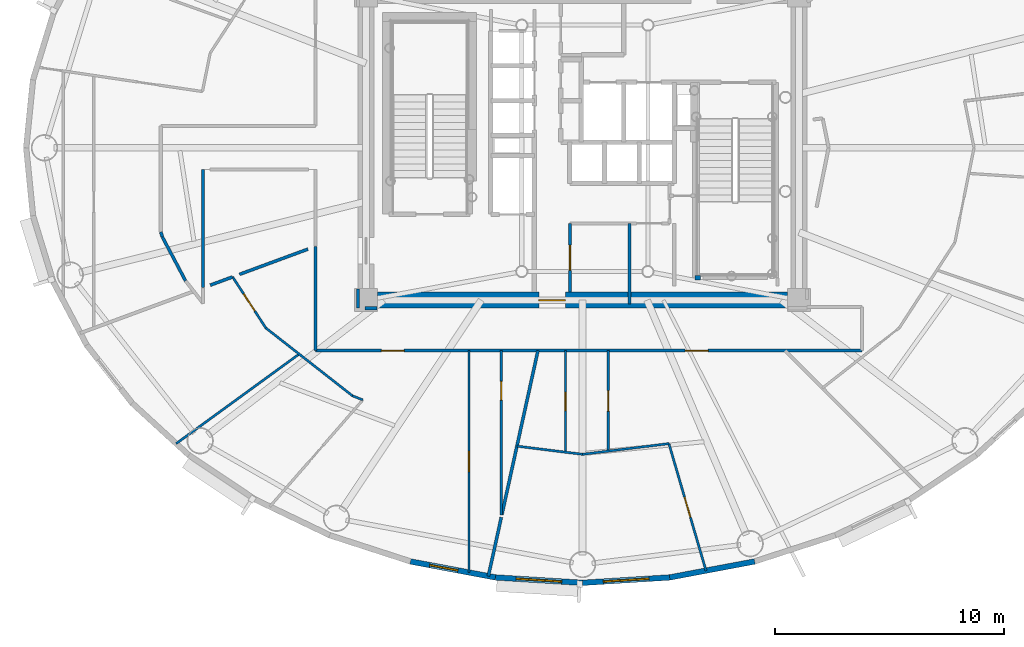
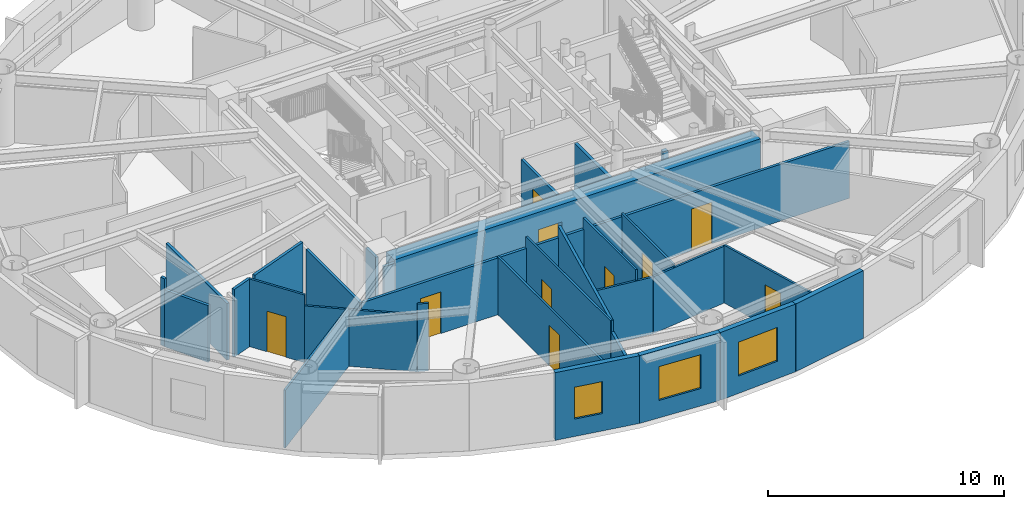
# One storey, part 7 of 20: 30 walls, 10 doors, 3 windows, 13 openings.
"""IFC4 building model written with IfcOpenShell, lengths in metres."""

import ifcopenshell
import ifcopenshell.guid

model = None  # the IFC model being written
_history = None  # IfcOwnerHistory: only IFC2X3 demands one
_inside = {}  # id of a spatial element -> (the spatial element, [elements in it])
_under = {}  # id of a project, library or spatial element -> (it, [spatial elements below it])
_declared = {}  # id of a project -> (the project, [libraries it declares])
_typed = {}  # id of a type object -> (the type object, [elements of that type])
_made_of = {}  # id of a material, layer set ... -> (it, [elements and type objects made of it])


def new_model(schema):
    """Start an empty IFC model of exactly this schema.

    Asked for "IFC4X3", IfcOpenShell would pick the latest addendum, in which some entities
    have other attributes; the version numbers below select the first issue.
    IFC2X3 requires an IfcOwnerHistory on every rooted entity: one is made here for all.
    """
    global model, _history
    if schema == "IFC4X3":
        model = ifcopenshell.file(schema_version=(4, 3, 0, 0))
    else:
        model = ifcopenshell.file(schema=schema)
    _inside.clear()
    _under.clear()
    _declared.clear()
    _typed.clear()
    _made_of.clear()
    _history = None
    if model.schema == "IFC2X3":
        org = make("IfcOrganization", Name="unknown")
        user = make(
            "IfcPersonAndOrganization",
            ThePerson=make("IfcPerson", FamilyName="unknown"),
            TheOrganization=org,
        )
        app = make(
            "IfcApplication",
            ApplicationDeveloper=org,
            Version="unknown",
            ApplicationFullName="unknown",
            ApplicationIdentifier="unknown",
        )
        _history = make(
            "IfcOwnerHistory",
            OwningUser=user,
            OwningApplication=app,
            ChangeAction="ADDED",
            CreationDate=0,
        )
    return model


def make(cls, **values):
    """One entity of the class cls with the attributes given. An attribute that is None is left unset."""
    return model.create_entity(
        cls, **{name: value for name, value in values.items() if value is not None}
    )


def rooted(cls, **values):
    """An entity with a GlobalId (a new one), such as an element, a storey or a relation."""
    return make(cls, GlobalId=ifcopenshell.guid.new(), OwnerHistory=_history, **values)


def si_unit(unit_type, name, prefix=None):
    """IfcSIUnit, for example si_unit("LENGTHUNIT", "METRE", prefix="MILLI")."""
    return make("IfcSIUnit", UnitType=unit_type, Prefix=prefix, Name=name)


def assignment(units):
    """IfcUnitAssignment: the units of a project."""
    return None if units is None else make("IfcUnitAssignment", Units=units)


def point(xyz):
    """IfcCartesianPoint."""
    return None if xyz is None else make("IfcCartesianPoint", Coordinates=xyz)


def direction(xyz):
    """IfcDirection."""
    return None if xyz is None else make("IfcDirection", DirectionRatios=xyz)


def frame(location, z_axis=None, x_axis=None):
    """IfcAxis2Placement3D, a coordinate frame: its origin and axes. An axis left out is left unset."""
    return make(
        "IfcAxis2Placement3D",
        Location=point(location),
        Axis=direction(z_axis),
        RefDirection=direction(x_axis),
    )


def frame_2d(location, x_axis=None):
    """IfcAxis2Placement2D, a coordinate frame in the plane: its origin and x axis."""
    return make(
        "IfcAxis2Placement2D", Location=point(location), RefDirection=direction(x_axis)
    )


def origin():
    """The frame at (0, 0, 0) with its axes left unset."""
    return frame((0.0, 0.0, 0.0))


def origin_2d():
    """The frame at (0, 0) in the plane with its x axis left unset."""
    return frame_2d((0.0, 0.0))


def place(relative_to, where):
    """IfcLocalPlacement: puts the frame where relative to a parent placement (None: the world)."""
    return make(
        "IfcLocalPlacement", PlacementRelTo=relative_to, RelativePlacement=where
    )


def context(
    kind, dimensions, precision=None, world=None, true_north=None, identifier=None
):
    """IfcGeometricRepresentationContext, for example the 3D "Model" context."""
    return make(
        "IfcGeometricRepresentationContext",
        ContextIdentifier=identifier,
        ContextType=kind,
        CoordinateSpaceDimension=dimensions,
        Precision=precision,
        WorldCoordinateSystem=world,
        TrueNorth=true_north,
    )


def subcontext(parent, identifier, kind, view, scale=None):
    """IfcGeometricRepresentationSubContext, for example "Body" below "Model"."""
    return make(
        "IfcGeometricRepresentationSubContext",
        ContextIdentifier=identifier,
        ContextType=kind,
        ParentContext=parent,
        TargetScale=scale,
        TargetView=view,
    )


def project(units=None, contexts=None):
    """IfcProject with its units and contexts."""
    return rooted(
        "IfcProject",
        Name="project",
        RepresentationContexts=contexts,
        UnitsInContext=assignment(units),
    )


def spatial(cls, under=None, at=None, **own):
    """A site, building, storey or space (cls), placed at a placement, below another one or the project."""
    s = rooted(cls, ObjectPlacement=at, **own)
    if under is not None:
        _under.setdefault(under.id(), (under, []))[1].append(s)
    return s


def profile(cls, at=None, kind="AREA", **sizes):
    """A parametric profile (cls). Its sizes go by their IFC names, for example OverallWidth=200.0."""
    return make(cls, ProfileType=kind, Position=at, **sizes)


def rectangle(**sizes):
    """IfcRectangleProfileDef."""
    return profile("IfcRectangleProfileDef", **sizes)


def extrude(swept, where, along, depth):
    """IfcExtrudedAreaSolid: the profile swept, set in the frame where, extruded along a direction by depth."""
    return make(
        "IfcExtrudedAreaSolid",
        SweptArea=swept,
        Position=where,
        ExtrudedDirection=direction(along),
        Depth=depth,
    )


def shape(context_of_items, identifier, shape_type, items):
    """IfcShapeRepresentation: the items that make up one representation, for example the "Body"."""
    return make(
        "IfcShapeRepresentation",
        ContextOfItems=context_of_items,
        RepresentationIdentifier=identifier,
        RepresentationType=shape_type,
        Items=items,
    )


def source(mapping_origin, context_of_items, identifier, shape_type, items):
    """IfcRepresentationMap: a shape defined once, which mapped items show again and again."""
    return make(
        "IfcRepresentationMap",
        MappingOrigin=mapping_origin,
        MappedRepresentation=shape(context_of_items, identifier, shape_type, items),
    )


def transform(
    local_origin,
    x_axis=None,
    y_axis=None,
    z_axis=None,
    scale=None,
    scale2=None,
    scale3=None,
    uniform=True,
):
    """IfcCartesianTransformationOperator3D, or its non-uniform kind. x_axis, y_axis, z_axis: its Axis1, 2, 3."""
    if uniform:
        return make(
            "IfcCartesianTransformationOperator3D",
            Axis1=direction(x_axis),
            Axis2=direction(y_axis),
            LocalOrigin=point(local_origin),
            Scale=scale,
            Axis3=direction(z_axis),
        )
    return make(
        "IfcCartesianTransformationOperator3DnonUniform",
        Axis1=direction(x_axis),
        Axis2=direction(y_axis),
        LocalOrigin=point(local_origin),
        Scale=scale,
        Axis3=direction(z_axis),
        Scale2=scale2,
        Scale3=scale3,
    )


def mapped(mapping_source, mapping_target):
    """IfcMappedItem: shows the shape of a source again, moved by a transform."""
    return make(
        "IfcMappedItem", MappingSource=mapping_source, MappingTarget=mapping_target
    )


def material(Name=None, Category=None):
    """IfcMaterial."""
    return make("IfcMaterial", Name=Name, Category=Category)


def layer(
    of_material, thickness, ventilated=None, Name=None, Category=None, Priority=None
):
    """IfcMaterialLayer: one layer of a wall or slab, of a material (None: an air gap)."""
    return make(
        "IfcMaterialLayer",
        Material=of_material,
        LayerThickness=thickness,
        IsVentilated=ventilated,
        Name=Name,
        Category=Category,
        Priority=Priority,
    )


def layer_set(layers, Name=None):
    """IfcMaterialLayerSet."""
    return make("IfcMaterialLayerSet", MaterialLayers=layers, LayerSetName=Name)


def made_of(thing, what):
    """Note that an element or type object is made of a material, layer set ...; save() writes the relation."""
    if what is not None:
        _made_of.setdefault(what.id(), (what, []))[1].append(thing)
    return thing


def type_object(cls, material=None, **own):
    """A type object (cls), such as IfcWallType, which elements share."""
    return made_of(rooted(cls, **own), material)


def element(
    cls,
    number,
    at=None,
    inside=None,
    cuts=None,
    type_object=None,
    material=None,
    context=None,
    identifier="Body",
    shape_type=None,
    held_by="IfcProductDefinitionShape",
    body=None,
    shapes=None,
    **own,
):
    """One element of the class cls, such as IfcWall. Its Tag is "e" and its number.

    at: its placement. inside: the storey or other place that contains it. cuts: it is an
    opening in that element (IfcRelVoidsElement). A single representation is given by context,
    identifier, shape_type and body (its items); several are given by shapes. held_by: the class
    of the entity that holds the representations. save() writes the other relations.
    """
    e = rooted(cls, Tag="e%d" % number, ObjectPlacement=at, **own)
    if body is not None:
        shapes = [shape(context, identifier, shape_type, body)]
    if shapes is not None:
        e.Representation = make(held_by, Representations=shapes)
    if inside is not None:
        _inside.setdefault(inside.id(), (inside, []))[1].append(e)
    if cuts is not None:
        rooted(
            "IfcRelVoidsElement", RelatingBuildingElement=cuts, RelatedOpeningElement=e
        )
    if type_object is not None:
        _typed.setdefault(type_object.id(), (type_object, []))[1].append(e)
    return made_of(e, material)


def fill(opening, filler):
    """IfcRelFillsElement: the door or window that sits in an opening."""
    return rooted(
        "IfcRelFillsElement",
        RelatingOpeningElement=opening,
        RelatedBuildingElement=filler,
    )


def aggregate(whole, parts):
    """IfcRelAggregates: a whole, such as a stair, and the parts it consists of."""
    return rooted("IfcRelAggregates", RelatingObject=whole, RelatedObjects=parts)


def save(model, path):
    """Write the relations noted so far, then the file.

    IfcRelAggregates (storeys below a building ...), IfcRelContainedInSpatialStructure (elements
    in a storey), IfcRelDefinesByType, IfcRelAssociatesMaterial and IfcRelDeclares: one each for
    every whole, place, type object, material and project.
    """
    for whole, parts in _under.values():
        aggregate(whole, parts)
    for where, things in _inside.values():
        rooted(
            "IfcRelContainedInSpatialStructure",
            RelatedElements=things,
            RelatingStructure=where,
        )
    for kind, things in _typed.values():
        rooted("IfcRelDefinesByType", RelatedObjects=things, RelatingType=kind)
    for what, things in _made_of.values():
        rooted("IfcRelAssociatesMaterial", RelatedObjects=things, RelatingMaterial=what)
    for by, libraries in _declared.values():
        rooted("IfcRelDeclares", RelatingContext=by, RelatedDefinitions=libraries)
    model.write(path)


model = new_model("IFC4")

# Units and contexts
model_context = context("Model", 3, precision=1e-05, world=origin(), true_north=direction((0.0, 1.0)))
body_context = subcontext(model_context, "Body", "Model", "MODEL_VIEW")
ifc_project = project(units=[si_unit("LENGTHUNIT", "METRE"), si_unit("AREAUNIT", "SQUARE_METRE"), si_unit("VOLUMEUNIT", "CUBIC_METRE"), si_unit("PLANEANGLEUNIT", "RADIAN"), si_unit("MASSUNIT", "GRAM", prefix="KILO")], contexts=[model_context])

# Site, building, storey
site_placement = place(None, origin())
site = spatial("IfcSite", under=ifc_project, at=site_placement, CompositionType="ELEMENT")
building_placement = place(site_placement, origin())
building = spatial("IfcBuilding", under=site, at=building_placement, Name="Linh Dai School and Residence Tower", CompositionType="ELEMENT")
storey_placement = place(building_placement, frame((0.0, 0.0, 221.550048828125)))
storey = spatial("IfcBuildingStorey", under=building, at=storey_placement, Name="L54", CompositionType="ELEMENT", Elevation=221.550048828125)

# Wall, opening, window
ifc_material_1 = material(Name="Precast Concrete B45 (C35/45)", Category="concrete")
ifc_layer_1 = layer(ifc_material_1, 0.239990234375)
ifc_layer_set_1 = layer_set([ifc_layer_1], Name="Precast Concrete B45 (C35/45)")
wall_type_1 = type_object("IfcWallType", Name="EW-TC-240", PredefinedType="SOLIDWALL", material=ifc_layer_set_1)
wall_1_placement = place(storey_placement, frame((32.198486328125, 8.254150390625, 0.0), z_axis=(0.0, 0.0, 1.0), x_axis=(-0.982784898575, 0.184753465822, 0.0)))
wall_1 = element("IfcWall", 1, at=wall_1_placement, inside=storey, type_object=wall_type_1, Name="L54 Terracotta Exterior Wall 29", PredefinedType="SOLIDWALL", context=body_context, shape_type="SweptSolid", body=[
    extrude(rectangle(XDim=3.772705078125, YDim=0.239990234375, at=frame_2d((1.88623046875, 0.0))), origin(), (0.0, 0.0, 1.0), 3.5),
])
opening_1_placement = place(wall_1_placement, frame((1.663818359375, 0.0, 0.89990234375)))
opening_1 = element("IfcOpeningElement", 2, at=opening_1_placement, cuts=wall_1, Name="Opening W3", PredefinedType="OPENING", context=body_context, shape_type="SweptSolid", body=[
    extrude(rectangle(XDim=1.25, YDim=1.64990234375, at=origin_2d()), frame((0.625, 0.1298828125, 0.824951171875), z_axis=(0.0, -1.0, 0.0), x_axis=(1.0, 0.0, 0.0)), (0.0, 0.0, 1.0), 0.260009765625),
])
ifc_material_2 = material(Name="Double Low-E Insulated Glazing", Category="glass")
window_type_1 = type_object("IfcWindowType", Name="WN-RES-1250x1650", PartitioningType="SINGLE_PANEL", PredefinedType="WINDOW", material=ifc_material_2)
shared_shape_1 = source(origin(), body_context, "Body", "SweptSolid", [
    extrude(rectangle(XDim=1.25, YDim=1.64990234375, at=origin_2d()), frame((0.625, 0.030029296875, 0.824951171875), z_axis=(0.0, -1.0, 0.0), x_axis=(1.0, 0.0, 0.0)), (0.0, 0.0, 1.0), 0.06005859375),
])
window_1_placement = place(opening_1_placement, origin())
window_1 = element("IfcWindow", 3, at=window_1_placement, inside=storey, type_object=window_type_1, Name="L54 Exterior Window 29.1", OverallHeight=1.64990234375, OverallWidth=1.25, PartitioningType="SINGLE_PANEL", PredefinedType="WINDOW", context=body_context, shape_type="MappedRepresentation", body=[
    mapped(shared_shape_1, transform((0.0, 0.0, 0.0), x_axis=(1.0, 0.0, 0.0), y_axis=(0.0, 1.0, 0.0), z_axis=(0.0, 0.0, 1.0), scale=1.0)),
])
fill(opening_1, window_1)

wall_2_placement = place(storey_placement, frame((36.0, 8.02001953125, 0.0), z_axis=(0.0, 0.0, 1.0), x_axis=(-0.998108785312, 0.06147237333, 0.0)))
wall_2 = element("IfcWall", 4, at=wall_2_placement, inside=storey, type_object=wall_type_1, Name="L54 Terracotta Exterior Wall 30", PredefinedType="SOLIDWALL", context=body_context, shape_type="SweptSolid", body=[
    extrude(rectangle(XDim=3.808837890625, YDim=0.239990234375, at=frame_2d((1.904296875, 0.0))), origin(), (0.0, 0.0, 1.0), 3.5),
])
opening_2_placement = place(wall_2_placement, frame((0.904296875, 0.0, 0.89990234375)))
opening_2 = element("IfcOpeningElement", 5, at=opening_2_placement, cuts=wall_2, Name="Opening W1", PredefinedType="OPENING", context=body_context, shape_type="SweptSolid", body=[
    extrude(rectangle(XDim=2.0, YDim=1.75, at=origin_2d()), frame((1.0, 0.1298828125, 0.875), z_axis=(0.0, -1.0, 0.0), x_axis=(1.0, 0.0, 0.0)), (0.0, 0.0, 1.0), 0.260009765625),
])
window_type_2 = type_object("IfcWindowType", Name="WN-RES-2000x1750", PartitioningType="DOUBLE_PANEL_VERTICAL", PredefinedType="WINDOW", material=ifc_material_2)
shared_shape_2 = source(origin(), body_context, "Body", "SweptSolid", [
    extrude(rectangle(XDim=2.0, YDim=1.75, at=origin_2d()), frame((1.0, 0.030029296875, 0.875), z_axis=(0.0, -1.0, 0.0), x_axis=(1.0, 0.0, 0.0)), (0.0, 0.0, 1.0), 0.06005859375),
])
window_2_placement = place(opening_2_placement, origin())
window_2 = element("IfcWindow", 6, at=window_2_placement, inside=storey, type_object=window_type_2, Name="L54 Exterior Window 30.1", OverallHeight=1.75, OverallWidth=2.0, PartitioningType="DOUBLE_PANEL_VERTICAL", PredefinedType="WINDOW", context=body_context, shape_type="MappedRepresentation", body=[
    mapped(shared_shape_2, transform((0.0, 0.0, 0.0), x_axis=(1.0, 0.0, 0.0), y_axis=(0.0, 1.0, 0.0), z_axis=(0.0, 0.0, 1.0), scale=1.0)),
])
fill(opening_2, window_2)

wall_3_placement = place(storey_placement, frame((39.801513671875, 8.254150390625, 0.0), z_axis=(0.0, 0.0, 1.0), x_axis=(-0.998108785312, -0.06147237333, 0.0)))
wall_3 = element("IfcWall", 7, at=wall_3_placement, inside=storey, type_object=wall_type_1, Name="L54 Terracotta Exterior Wall 31", PredefinedType="SOLIDWALL", context=body_context, shape_type="SweptSolid", body=[
    extrude(rectangle(XDim=3.808837890625, YDim=0.239990234375, at=frame_2d((1.904296875, 0.0))), origin(), (0.0, 0.0, 1.0), 3.5),
])
opening_3_placement = place(wall_3_placement, frame((0.904541015625, 0.0, 0.89990234375)))
opening_3 = element("IfcOpeningElement", 8, at=opening_3_placement, cuts=wall_3, Name="Opening W1", PredefinedType="OPENING", context=body_context, shape_type="SweptSolid", body=[
    extrude(rectangle(XDim=2.0, YDim=1.75, at=origin_2d()), frame((1.0, 0.1298828125, 0.875), z_axis=(0.0, -1.0, 0.0), x_axis=(1.0, 0.0, 0.0)), (0.0, 0.0, 1.0), 0.260009765625),
])
window_3_placement = place(opening_3_placement, origin())
window_3 = element("IfcWindow", 9, at=window_3_placement, inside=storey, type_object=window_type_2, Name="L54 Exterior Window 31.1", OverallHeight=1.75, OverallWidth=2.0, PartitioningType="DOUBLE_PANEL_VERTICAL", PredefinedType="WINDOW", context=body_context, shape_type="MappedRepresentation", body=[
    mapped(shared_shape_2, transform((0.0, 0.0, 0.0), x_axis=(1.0, 0.0, 0.0), y_axis=(0.0, 1.0, 0.0), z_axis=(0.0, 0.0, 1.0), scale=1.0)),
])
fill(opening_3, window_3)

# Walls
wall_4_placement = place(storey_placement, frame((43.50927734375, 8.951171875, 0.0), z_axis=(0.0, 0.0, 1.0), x_axis=(-0.982784898575, -0.184753465822, 0.0)))
element("IfcWall", 10, at=wall_4_placement, inside=storey, type_object=wall_type_1, Name="L54 Terracotta Exterior Wall 32", PredefinedType="SOLIDWALL", context=body_context, shape_type="SweptSolid", body=[
    extrude(rectangle(XDim=3.772705078125, YDim=0.239990234375, at=frame_2d((1.88623046875, 0.0))), origin(), (0.0, 0.0, 1.0), 3.5),
])
ifc_material_3 = material(Name="Autoclaved Aerated Concrete Blockwork", Category="masonry")
ifc_layer_2 = layer(ifc_material_3, 0.135009765625)
ifc_layer_set_2 = layer_set([ifc_layer_2], Name="Autoclaved Aerated Concrete Blockwork")
wall_type_2 = type_object("IfcWallType", Name="IW-CORR-135-EI90", PredefinedType="PARTITIONING", material=ifc_layer_set_2)
wall_5_placement = place(storey_placement, frame((17.60009765625, 23.327880859375, 0.0), z_axis=(0.0, 0.0, 1.0), x_axis=(0.292875000845, -0.956150738053, 0.0)))
element("IfcWall", 11, at=wall_5_placement, inside=storey, type_object=wall_type_2, Name="L54 Interior Partition Wall 007", PredefinedType="PARTITIONING", context=body_context, shape_type="SweptSolid", body=[
    extrude(rectangle(XDim=0.226806640625, YDim=0.135009765625, at=frame_2d((0.11328125, 0.0))), origin(), (0.0, 0.0, 1.0), 3.5),
])
wall_6_placement = place(storey_placement, frame((17.66650390625, 23.111083984375, 0.0), z_axis=(0.0, 0.0, 1.0), x_axis=(0.467675622269, -0.883900171024, 0.0)))
element("IfcWall", 12, at=wall_6_placement, inside=storey, type_object=wall_type_2, Name="L54 Interior Partition Wall 009", PredefinedType="PARTITIONING", context=body_context, shape_type="SweptSolid", body=[
    extrude(rectangle(XDim=2.16845703125, YDim=0.135009765625, at=frame_2d((1.084228515625, 0.0))), origin(), (0.0, 0.0, 1.0), 2.93505859375),
])
wall_7_placement = place(storey_placement, frame((24.35009765625, 18.14990234375, 0.0), z_axis=(0.0, 0.0, 1.0), x_axis=(0.0, 1.0, 0.0)))
element("IfcWall", 13, at=wall_7_placement, inside=storey, type_object=wall_type_2, Name="L54 Interior Partition Wall 020", PredefinedType="PARTITIONING", context=body_context, shape_type="SweptSolid", body=[
    extrude(rectangle(XDim=4.550537109375, YDim=0.135009765625, at=frame_2d((2.275390625, 0.0))), origin(), (0.0, 0.0, 1.0), 2.93505859375),
])

# Wall, openings, doors
wall_8_placement = place(storey_placement, frame((24.35009765625, 18.14990234375, 0.0), z_axis=(0.0, 0.0, 1.0), x_axis=(1.0, 0.0, 0.0)))
wall_8 = element("IfcWall", 14, at=wall_8_placement, inside=storey, type_object=wall_type_2, Name="L54 Interior Partition Wall 021", PredefinedType="PARTITIONING", context=body_context, shape_type="SweptSolid", body=[
    extrude(rectangle(XDim=23.849853515625, YDim=0.135009765625, at=frame_2d((11.9248046875, 0.0))), origin(), (0.0, 0.0, 1.0), 2.93505859375),
])
opening_4_placement = place(wall_8_placement, frame((2.86962890625, 0.0, 0.0)))
opening_4 = element("IfcOpeningElement", 15, at=opening_4_placement, cuts=wall_8, Name="Opening D03", PredefinedType="OPENING", context=body_context, shape_type="SweptSolid", body=[
    extrude(rectangle(XDim=1.0, YDim=2.14990234375, at=origin_2d()), frame((0.5, 0.07763671875, 1.074951171875), z_axis=(0.0, -1.0, 0.0), x_axis=(1.0, 0.0, 0.0)), (0.0, 0.0, 1.0), 0.155029296875),
])
opening_5_placement = place(wall_8_placement, frame((16.129638671875, 0.0, 0.0)))
opening_5 = element("IfcOpeningElement", 16, at=opening_5_placement, cuts=wall_8, Name="Opening D03", PredefinedType="OPENING", context=body_context, shape_type="SweptSolid", body=[
    extrude(rectangle(XDim=1.0, YDim=2.14990234375, at=origin_2d()), frame((0.5, 0.07763671875, 1.074951171875), z_axis=(0.0, -1.0, 0.0), x_axis=(1.0, 0.0, 0.0)), (0.0, 0.0, 1.0), 0.155029296875),
])
ifc_material_4 = material(Name="Fire-Rated Solid Timber Entrance Door", Category="wood")
door_type_1 = type_object("IfcDoorType", Name="DR-FLAT-1000x2150-FD60S", OperationType="NOTDEFINED", PredefinedType="DOOR", material=ifc_material_4)
shared_shape_3 = source(origin(), body_context, "Body", "SweptSolid", [
    extrude(rectangle(XDim=1.0, YDim=2.14990234375, at=origin_2d()), frame((0.5, 0.02490234375, 1.074951171875), z_axis=(0.0, -1.0, 0.0), x_axis=(1.0, 0.0, 0.0)), (0.0, 0.0, 1.0), 0.050048828125),
])
door_1_placement = place(opening_4_placement, origin())
door_1 = element("IfcDoor", 17, at=door_1_placement, inside=storey, type_object=door_type_1, Name="L54 U5405 Apartment Entrance Door", OperationType="SINGLE_SWING_LEFT", OverallHeight=2.14990234375, OverallWidth=1.0, PredefinedType="DOOR", context=body_context, shape_type="MappedRepresentation", body=[
    mapped(shared_shape_3, transform((0.0, 0.0, 0.0), x_axis=(1.0, 0.0, 0.0), y_axis=(0.0, 1.0, 0.0), z_axis=(0.0, 0.0, 1.0), scale=1.0)),
])
fill(opening_4, door_1)
door_2_placement = place(opening_5_placement, origin())
door_2 = element("IfcDoor", 18, at=door_2_placement, inside=storey, type_object=door_type_1, Name="L54 U5406 Apartment Entrance Door", OperationType="SINGLE_SWING_RIGHT", OverallHeight=2.14990234375, OverallWidth=1.0, PredefinedType="DOOR", context=body_context, shape_type="MappedRepresentation", body=[
    mapped(shared_shape_3, transform((0.0, 0.0, 0.0), x_axis=(1.0, 0.0, 0.0), y_axis=(0.0, 1.0, 0.0), z_axis=(0.0, 0.0, 1.0), scale=1.0)),
])
fill(opening_5, door_2)

# Walls
wall_9_placement = place(storey_placement, frame((31.890625, 8.30712890625, 0.0), z_axis=(0.0, 0.0, 1.0), x_axis=(0.214700779338, 0.976679873526, 0.0)))
element("IfcWall", 19, at=wall_9_placement, inside=storey, type_object=wall_type_2, Name="L54 Interior Partition Wall 034", PredefinedType="PARTITIONING", context=body_context, shape_type="SweptSolid", body=[
    extrude(rectangle(XDim=2.63232421875, YDim=0.135009765625, at=frame_2d((1.316162109375, 0.0))), origin(), (0.0, 0.0, 1.0), 2.98486328125),
])
wall_10_placement = place(storey_placement, frame((32.47900390625, 10.98291015625, 0.0), z_axis=(0.0, 0.0, 1.0), x_axis=(0.214685976808, 0.976683127407, 0.0)))
element("IfcWall", 20, at=wall_10_placement, inside=storey, type_object=wall_type_2, Name="L54 Interior Partition Wall 042", PredefinedType="PARTITIONING", context=body_context, shape_type="SweptSolid", body=[
    extrude(rectangle(XDim=7.33837890625, YDim=0.135009765625, at=frame_2d((3.669189453125, 0.0))), origin(), (0.0, 0.0, 1.0), 3.5),
])

# Wall, opening, door
wall_11_placement = place(storey_placement, frame((35.449951171875, 20.699951171875, 0.0), z_axis=(0.0, 0.0, 1.0), x_axis=(0.0, 1.0, 0.0)))
wall_11 = element("IfcWall", 21, at=wall_11_placement, inside=storey, type_object=wall_type_2, Name="L54 Interior Partition Wall 052", PredefinedType="PARTITIONING", context=body_context, shape_type="SweptSolid", body=[
    extrude(rectangle(XDim=3.0, YDim=0.135009765625, at=frame_2d((1.5, 0.0))), origin(), (0.0, 0.0, 1.0), 3.0849609375),
])
opening_6_placement = place(wall_11_placement, frame((0.949951171875, 0.0, 0.0)))
opening_6 = element("IfcOpeningElement", 22, at=opening_6_placement, cuts=wall_11, Name="Opening D07", PredefinedType="OPENING", context=body_context, shape_type="SweptSolid", body=[
    extrude(rectangle(XDim=1.10009765625, YDim=2.14990234375, at=origin_2d()), frame((0.550048828125, 0.07763671875, 1.074951171875), z_axis=(0.0, -1.0, 0.0), x_axis=(1.0, 0.0, 0.0)), (0.0, 0.0, 1.0), 0.155029296875),
])
ifc_material_5 = material(Name="Fire-Rated Louvred Steel Plant Door", Category="steel")
door_type_2 = type_object("IfcDoorType", Name="DR-PLT-1100x2150-FD60S", OperationType="NOTDEFINED", PredefinedType="DOOR", material=ifc_material_5)
shared_shape_4 = source(origin(), body_context, "Body", "SweptSolid", [
    extrude(rectangle(XDim=1.10009765625, YDim=2.14990234375, at=origin_2d()), frame((0.550048828125, 0.02490234375, 1.074951171875), z_axis=(0.0, -1.0, 0.0), x_axis=(1.0, 0.0, 0.0)), (0.0, 0.0, 1.0), 0.050048828125),
])
door_3_placement = place(opening_6_placement, origin())
door_3 = element("IfcDoor", 23, at=door_3_placement, inside=storey, type_object=door_type_2, Name="L54 Floor Electrical Switchroom Door", OperationType="SINGLE_SWING_RIGHT", OverallHeight=2.14990234375, OverallWidth=1.10009765625, PredefinedType="DOOR", context=body_context, shape_type="MappedRepresentation", body=[
    mapped(shared_shape_4, transform((0.0, 0.0, 0.0), x_axis=(1.0, 0.0, 0.0), y_axis=(0.0, 1.0, 0.0), z_axis=(0.0, 0.0, 1.0), scale=1.0)),
])
fill(opening_6, door_3)

# Walls
wall_12_placement = place(storey_placement, frame((19.449951171875, 26.050048828125, 0.0), z_axis=(0.0, 0.0, 1.0), x_axis=(0.0, -1.0, 0.0)))
element("IfcWall", 24, at=wall_12_placement, inside=storey, type_object=wall_type_2, Name="L54 Interior Partition Wall 105", PredefinedType="PARTITIONING", context=body_context, shape_type="SweptSolid", body=[
    extrude(rectangle(XDim=5.14794921875, YDim=0.135009765625, at=frame_2d((2.573974609375, 0.0))), origin(), (0.0, 0.0, 1.0), 2.93505859375),
])
wall_13_placement = place(storey_placement, frame((26.199951171875, 20.840087890625, 0.0), z_axis=(0.0, 0.0, 1.0), x_axis=(0.0, -1.0, 0.0)))
element("IfcWall", 25, at=wall_13_placement, inside=storey, type_object=wall_type_2, Name="L54 Interior Partition Wall 110", PredefinedType="PARTITIONING", context=body_context, shape_type="SweptSolid", body=[
    extrude(rectangle(XDim=0.840087890625, YDim=0.135009765625, at=frame_2d((0.419921875, 0.0))), origin(), (0.0, 0.0, 1.0), 3.5),
])
wall_14_placement = place(storey_placement, frame((26.507568359375, 20.0, 0.0), z_axis=(0.0, 0.0, 1.0), x_axis=(1.0, 0.0, 0.0)))
element("IfcWall", 26, at=wall_14_placement, inside=storey, type_object=wall_type_2, Name="L54 Interior Partition Wall 111", PredefinedType="PARTITIONING", context=body_context, shape_type="SweptSolid", body=[
    extrude(rectangle(XDim=0.532470703125, YDim=0.135009765625, at=frame_2d((0.26611328125, 0.0))), origin(), (0.0, 0.0, 1.0), 2.93505859375),
])
wall_15_placement = place(storey_placement, frame((21.03125, 21.475830078125, 0.0), z_axis=(0.0, 0.0, 1.0), x_axis=(0.938166504217, 0.346184358926, 0.0)))
element("IfcWall", 27, at=wall_15_placement, inside=storey, type_object=wall_type_2, Name="L54 Interior Partition Wall 115", PredefinedType="PARTITIONING", context=body_context, shape_type="SweptSolid", body=[
    extrude(rectangle(XDim=3.1884765625, YDim=0.135009765625, at=frame_2d((1.59423828125, 0.0))), origin(), (0.0, 0.0, 1.0), 3.5),
])
wall_16_placement = place(storey_placement, frame((19.757568359375, 21.005615234375, 0.0), z_axis=(0.0, 0.0, 1.0), x_axis=(0.938130503792, 0.346281905179, 0.0)))
element("IfcWall", 28, at=wall_16_placement, inside=storey, type_object=wall_type_2, Name="L54 Interior Partition Wall 116", PredefinedType="PARTITIONING", context=body_context, shape_type="SweptSolid", body=[
    extrude(rectangle(XDim=1.0400390625, YDim=0.135009765625, at=frame_2d((0.52001953125, 0.0))), origin(), (0.0, 0.0, 1.0), 3.5),
])
ifc_layer_3 = layer(ifc_material_3, 0.14990234375)
ifc_layer_set_3 = layer_set([ifc_layer_3], Name="Autoclaved Aerated Concrete Blockwork")
wall_type_3 = type_object("IfcWallType", Name="IW-SCH-150-EI60", PredefinedType="PARTITIONING", material=ifc_layer_set_3)
wall_17_placement = place(storey_placement, frame((38.050048828125, 20.179931640625, 0.0), z_axis=(0.0, 0.0, 1.0), x_axis=(0.0, 1.0, 0.0)))
element("IfcWall", 29, at=wall_17_placement, inside=storey, type_object=wall_type_3, Name="L54 Interior Partition Wall 067", PredefinedType="PARTITIONING", context=body_context, shape_type="SweptSolid", body=[
    extrude(rectangle(XDim=3.52001953125, YDim=0.14990234375, at=frame_2d((1.760009765625, 0.0))), origin(), (0.0, 0.0, 1.0), 3.034912109375),
])
ifc_material_6 = material(Name="Concrete B45 (C35/45)", Category="concrete")
ifc_layer_4 = layer(ifc_material_6, 0.199951171875)
ifc_layer_set_4 = layer_set([ifc_layer_4], Name="Concrete B45 (C35/45)")
wall_type_4 = type_object("IfcWallType", Name="IW-SHAFT-200-EI120", PredefinedType="PARTITIONING", material=ifc_layer_set_4)
wall_18_placement = place(storey_placement, frame((40.89990234375, 21.330078125, 0.0), z_axis=(0.0, 0.0, 1.0), x_axis=(1.0, 0.0, 0.0)))
element("IfcWall", 30, at=wall_18_placement, inside=storey, type_object=wall_type_4, Name="L54 Interior Partition Wall 079", PredefinedType="PARTITIONING", context=body_context, shape_type="SweptSolid", body=[
    extrude(rectangle(XDim=0.25, YDim=0.199951171875, at=frame_2d((0.125, 0.0))), origin(), (0.0, 0.0, 1.0), 3.034912109375),
])
ifc_material_7 = material(Name="Gypsum Plasterboard Acoustic Stud Partition", Category="masonry")
ifc_layer_5 = layer(ifc_material_7, 0.10009765625)
ifc_layer_set_5 = layer_set([ifc_layer_5], Name="Gypsum Plasterboard Acoustic Stud Partition")
wall_type_5 = type_object("IfcWallType", Name="IW-UNIT-100", PredefinedType="PARTITIONING", material=ifc_layer_set_5)
wall_19_placement = place(storey_placement, frame((18.26806640625, 14.091796875, 0.0), z_axis=(0.0, 0.0, 1.0), x_axis=(0.808481640117, 0.588521399436, 0.0)))
element("IfcWall", 31, at=wall_19_placement, inside=storey, type_object=wall_type_5, Name="L54 Interior Partition Wall 010", PredefinedType="PARTITIONING", context=body_context, shape_type="SweptSolid", body=[
    extrude(rectangle(XDim=6.640625, YDim=0.10009765625, at=frame_2d((3.3203125, 0.0))), origin(), (0.0, 0.0, 1.0), 2.98486328125),
])

# Wall, opening, door
wall_20_placement = place(storey_placement, frame((20.733154296875, 21.36572265625, 0.0), z_axis=(0.0, 0.0, 1.0), x_axis=(0.545375949152, -0.838191549758, 0.0)))
wall_20 = element("IfcWall", 32, at=wall_20_placement, inside=storey, type_object=wall_type_5, Name="L54 Interior Partition Wall 016", PredefinedType="PARTITIONING", context=body_context, shape_type="SweptSolid", body=[
    extrude(rectangle(XDim=2.656494140625, YDim=0.10009765625, at=frame_2d((1.328125, 0.0))), origin(), (0.0, 0.0, 1.0), 3.5),
])
opening_7_placement = place(wall_20_placement, frame((0.878173828125, 0.0, 0.0)))
opening_7 = element("IfcOpeningElement", 33, at=opening_7_placement, cuts=wall_20, Name="Opening D05", PredefinedType="OPENING", context=body_context, shape_type="SweptSolid", body=[
    extrude(rectangle(XDim=0.89990234375, YDim=2.10009765625, at=origin_2d()), frame((0.449951171875, 0.06005859375, 1.050048828125), z_axis=(0.0, -1.0, 0.0), x_axis=(1.0, 0.0, 0.0)), (0.0, 0.0, 1.0), 0.1201171875),
])
ifc_material_8 = material(Name="Engineered Timber Internal Door", Category="wood")
door_type_3 = type_object("IfcDoorType", Name="DR-INT-900x2100", OperationType="NOTDEFINED", PredefinedType="DOOR", material=ifc_material_8)
shared_shape_5 = source(origin(), body_context, "Body", "SweptSolid", [
    extrude(rectangle(XDim=0.89990234375, YDim=2.10009765625, at=origin_2d()), frame((0.449951171875, 0.02490234375, 1.050048828125), z_axis=(0.0, -1.0, 0.0), x_axis=(1.0, 0.0, 0.0)), (0.0, 0.0, 1.0), 0.050048828125),
])
door_4_placement = place(opening_7_placement, origin())
door_4 = element("IfcDoor", 34, at=door_4_placement, inside=storey, type_object=door_type_3, Name="L54 Apartment U5405 Principal Bedroom 1 Door", OperationType="SINGLE_SWING_RIGHT", OverallHeight=2.10009765625, OverallWidth=0.89990234375, PredefinedType="DOOR", context=body_context, shape_type="MappedRepresentation", body=[
    mapped(shared_shape_5, transform((0.0, 0.0, 0.0), x_axis=(1.0, 0.0, 0.0), y_axis=(0.0, 1.0, 0.0), z_axis=(0.0, 0.0, 1.0), scale=1.0)),
])
fill(opening_7, door_4)

# Walls
wall_21_placement = place(storey_placement, frame((22.181884765625, 19.13916015625, 0.0), z_axis=(0.0, 0.0, 1.0), x_axis=(0.787386902975, -0.616459134917, 0.0)))
element("IfcWall", 35, at=wall_21_placement, inside=storey, type_object=wall_type_5, Name="L54 Interior Partition Wall 017", PredefinedType="PARTITIONING", context=body_context, shape_type="SweptSolid", body=[
    extrude(rectangle(XDim=4.799072265625, YDim=0.10009765625, at=frame_2d((2.3994140625, 0.0))), origin(), (0.0, 0.0, 1.0), 2.93505859375),
])
wall_22_placement = place(storey_placement, frame((25.960693359375, 16.1806640625, 0.0), z_axis=(0.0, 0.0, 1.0), x_axis=(0.928718060564, -0.370786682585, 0.0)))
element("IfcWall", 36, at=wall_22_placement, inside=storey, type_object=wall_type_5, Name="L54 Interior Partition Wall 024", PredefinedType="PARTITIONING", context=body_context, shape_type="SweptSolid", body=[
    extrude(rectangle(XDim=0.48779296875, YDim=0.10009765625, at=frame_2d((0.243896484375, 0.0))), origin(), (0.0, 0.0, 1.0), 3.5),
])

# Wall, opening, door
wall_23_placement = place(storey_placement, frame((31.049072265625, 8.46533203125, 0.0), z_axis=(0.0, 0.0, 1.0), x_axis=(0.0, 1.0, 0.0)))
wall_23 = element("IfcWall", 37, at=wall_23_placement, inside=storey, type_object=wall_type_5, Name="L54 Interior Partition Wall 031", PredefinedType="PARTITIONING", context=body_context, shape_type="SweptSolid", body=[
    extrude(rectangle(XDim=9.6845703125, YDim=0.10009765625, at=frame_2d((4.84228515625, 0.0))), origin(), (0.0, 0.0, 1.0), 2.98486328125),
])
opening_8_placement = place(wall_23_placement, frame((4.392333984375, 0.0, 0.0)))
opening_8 = element("IfcOpeningElement", 38, at=opening_8_placement, cuts=wall_23, Name="Opening D05", PredefinedType="OPENING", context=body_context, shape_type="SweptSolid", body=[
    extrude(rectangle(XDim=0.89990234375, YDim=2.10009765625, at=origin_2d()), frame((0.449951171875, 0.06005859375, 1.050048828125), z_axis=(0.0, -1.0, 0.0), x_axis=(1.0, 0.0, 0.0)), (0.0, 0.0, 1.0), 0.1201171875),
])
door_5_placement = place(opening_8_placement, origin())
door_5 = element("IfcDoor", 39, at=door_5_placement, inside=storey, type_object=door_type_3, Name="L54 Apartment U5405 Kitchen Door", OperationType="SINGLE_SWING_RIGHT", OverallHeight=2.10009765625, OverallWidth=0.89990234375, PredefinedType="DOOR", context=body_context, shape_type="MappedRepresentation", body=[
    mapped(shared_shape_5, transform((0.0, 0.0, 0.0), x_axis=(1.0, 0.0, 0.0), y_axis=(0.0, 1.0, 0.0), z_axis=(0.0, 0.0, 1.0), scale=1.0)),
])
fill(opening_8, door_5)

wall_24_placement = place(storey_placement, frame((32.455810546875, 10.9853515625, 0.0), z_axis=(0.0, 0.0, 1.0), x_axis=(0.0, 1.0, 0.0)))
wall_24 = element("IfcWall", 40, at=wall_24_placement, inside=storey, type_object=wall_type_5, Name="L54 Interior Partition Wall 041", PredefinedType="PARTITIONING", context=body_context, shape_type="SweptSolid", body=[
    extrude(rectangle(XDim=7.16455078125, YDim=0.10009765625, at=frame_2d((3.582275390625, 0.0))), origin(), (0.0, 0.0, 1.0), 3.5),
])
opening_9_placement = place(wall_24_placement, frame((5.003662109375, 0.0, 0.0)))
opening_9 = element("IfcOpeningElement", 41, at=opening_9_placement, cuts=wall_24, Name="Opening D06", PredefinedType="OPENING", context=body_context, shape_type="SweptSolid", body=[
    extrude(rectangle(XDim=0.820068359375, YDim=2.10009765625, at=origin_2d()), frame((0.41015625, 0.06005859375, 1.050048828125), z_axis=(0.0, -1.0, 0.0), x_axis=(1.0, 0.0, 0.0)), (0.0, 0.0, 1.0), 0.1201171875),
])
ifc_material_9 = material(Name="Moisture-Resistant Timber Bathroom Door", Category="wood")
door_type_4 = type_object("IfcDoorType", Name="DR-WET-820x2100", OperationType="NOTDEFINED", PredefinedType="DOOR", material=ifc_material_9)
shared_shape_6 = source(origin(), body_context, "Body", "SweptSolid", [
    extrude(rectangle(XDim=0.820068359375, YDim=2.10009765625, at=origin_2d()), frame((0.41015625, 0.02490234375, 1.050048828125), z_axis=(0.0, -1.0, 0.0), x_axis=(1.0, 0.0, 0.0)), (0.0, 0.0, 1.0), 0.050048828125),
])
door_6_placement = place(opening_9_placement, origin())
door_6 = element("IfcDoor", 42, at=door_6_placement, inside=storey, type_object=door_type_4, Name="L54 Apartment U5405 Bathroom 1 Door", OperationType="SINGLE_SWING_LEFT", OverallHeight=2.10009765625, OverallWidth=0.820068359375, PredefinedType="DOOR", context=body_context, shape_type="MappedRepresentation", body=[
    mapped(shared_shape_6, transform((0.0, 0.0, 0.0), x_axis=(1.0, 0.0, 0.0), y_axis=(0.0, 1.0, 0.0), z_axis=(0.0, 0.0, 1.0), scale=1.0)),
])
fill(opening_9, door_6)

# Wall
wall_25_placement = place(storey_placement, frame((33.13818359375, 13.9814453125, 0.0), z_axis=(0.0, 0.0, 1.0), x_axis=(0.99239465631, -0.123096897311, 0.0)))
element("IfcWall", 43, at=wall_25_placement, inside=storey, type_object=wall_type_5, Name="L54 Interior Partition Wall 043", PredefinedType="PARTITIONING", context=body_context, shape_type="SweptSolid", body=[
    extrude(rectangle(XDim=2.8837890625, YDim=0.10009765625, at=frame_2d((1.44189453125, 0.0))), origin(), (0.0, 0.0, 1.0), 2.93505859375),
])

# Wall, opening, door
wall_26_placement = place(storey_placement, frame((35.259033203125, 13.71826171875, 0.0), z_axis=(0.0, 0.0, 1.0), x_axis=(0.0, 1.0, 0.0)))
wall_26 = element("IfcWall", 44, at=wall_26_placement, inside=storey, type_object=wall_type_5, Name="L54 Interior Partition Wall 051", PredefinedType="PARTITIONING", context=body_context, shape_type="SweptSolid", body=[
    extrude(rectangle(XDim=4.431640625, YDim=0.10009765625, at=frame_2d((2.2158203125, 0.0))), origin(), (0.0, 0.0, 1.0), 3.5),
])
opening_10_placement = place(wall_26_placement, frame((1.805908203125, 0.0, 0.0)))
opening_10 = element("IfcOpeningElement", 45, at=opening_10_placement, cuts=wall_26, Name="Opening D06", PredefinedType="OPENING", context=body_context, shape_type="SweptSolid", body=[
    extrude(rectangle(XDim=0.820068359375, YDim=2.10009765625, at=origin_2d()), frame((0.41015625, 0.06005859375, 1.050048828125), z_axis=(0.0, -1.0, 0.0), x_axis=(1.0, 0.0, 0.0)), (0.0, 0.0, 1.0), 0.1201171875),
])
door_7_placement = place(opening_10_placement, origin())
door_7 = element("IfcDoor", 46, at=door_7_placement, inside=storey, type_object=door_type_4, Name="L54 Apartment U5406 Bathroom 1 Door", OperationType="SINGLE_SWING_LEFT", OverallHeight=2.10009765625, OverallWidth=0.820068359375, PredefinedType="DOOR", context=body_context, shape_type="MappedRepresentation", body=[
    mapped(shared_shape_6, transform((0.0, 0.0, 0.0), x_axis=(1.0, 0.0, 0.0), y_axis=(0.0, 1.0, 0.0), z_axis=(0.0, 0.0, 1.0), scale=1.0)),
])
fill(opening_10, door_7)

# Wall
wall_27_placement = place(storey_placement, frame((36.0, 13.62646484375, 0.0), z_axis=(0.0, 0.0, 1.0), x_axis=(0.992397118202, 0.123077048159, 0.0)))
element("IfcWall", 47, at=wall_27_placement, inside=storey, type_object=wall_type_5, Name="L54 Interior Partition Wall 059", PredefinedType="PARTITIONING", context=body_context, shape_type="SweptSolid", body=[
    extrude(rectangle(XDim=3.796630859375, YDim=0.10009765625, at=frame_2d((1.8984375, 0.0))), origin(), (0.0, 0.0, 1.0), 2.93505859375),
])

# Wall, opening, door
wall_28_placement = place(storey_placement, frame((37.125732421875, 13.76611328125, 0.0), z_axis=(0.0, 0.0, 1.0), x_axis=(0.0, 1.0, 0.0)))
wall_28 = element("IfcWall", 48, at=wall_28_placement, inside=storey, type_object=wall_type_5, Name="L54 Interior Partition Wall 064", PredefinedType="PARTITIONING", context=body_context, shape_type="SweptSolid", body=[
    extrude(rectangle(XDim=4.3837890625, YDim=0.10009765625, at=frame_2d((2.19189453125, 0.0))), origin(), (0.0, 0.0, 1.0), 3.0849609375),
])
opening_11_placement = place(wall_28_placement, frame((1.741943359375, 0.0, 0.0)))
opening_11 = element("IfcOpeningElement", 49, at=opening_11_placement, cuts=wall_28, Name="Opening D05", PredefinedType="OPENING", context=body_context, shape_type="SweptSolid", body=[
    extrude(rectangle(XDim=0.89990234375, YDim=2.10009765625, at=origin_2d()), frame((0.449951171875, 0.06005859375, 1.050048828125), z_axis=(0.0, -1.0, 0.0), x_axis=(1.0, 0.0, 0.0)), (0.0, 0.0, 1.0), 0.1201171875),
])
door_8_placement = place(opening_11_placement, origin())
door_8 = element("IfcDoor", 50, at=door_8_placement, inside=storey, type_object=door_type_3, Name="L54 Apartment U5406 Kitchen Door", OperationType="SINGLE_SWING_RIGHT", OverallHeight=2.10009765625, OverallWidth=0.89990234375, PredefinedType="DOOR", context=body_context, shape_type="MappedRepresentation", body=[
    mapped(shared_shape_5, transform((0.0, 0.0, 0.0), x_axis=(1.0, 0.0, 0.0), y_axis=(0.0, 1.0, 0.0), z_axis=(0.0, 0.0, 1.0), scale=1.0)),
])
fill(opening_11, door_8)

wall_29_placement = place(storey_placement, frame((39.767822265625, 14.09375, 0.0), z_axis=(0.0, 0.0, 1.0), x_axis=(0.280219030024, -0.959936089129, 0.0)))
wall_29 = element("IfcWall", 51, at=wall_29_placement, inside=storey, type_object=wall_type_5, Name="L54 Interior Partition Wall 070", PredefinedType="PARTITIONING", context=body_context, shape_type="SweptSolid", body=[
    extrude(rectangle(XDim=5.778076171875, YDim=0.10009765625, at=frame_2d((2.88916015625, 0.0))), origin(), (0.0, 0.0, 1.0), 2.98486328125),
])
opening_12_placement = place(wall_29_placement, frame((2.43896484375, 0.0, 0.0)))
opening_12 = element("IfcOpeningElement", 52, at=opening_12_placement, cuts=wall_29, Name="Opening D05", PredefinedType="OPENING", context=body_context, shape_type="SweptSolid", body=[
    extrude(rectangle(XDim=0.89990234375, YDim=2.10009765625, at=origin_2d()), frame((0.449951171875, 0.06005859375, 1.050048828125), z_axis=(0.0, -1.0, 0.0), x_axis=(1.0, 0.0, 0.0)), (0.0, 0.0, 1.0), 0.1201171875),
])
door_9_placement = place(opening_12_placement, origin())
door_9 = element("IfcDoor", 53, at=door_9_placement, inside=storey, type_object=door_type_3, Name="L54 Apartment U5406 Principal Bedroom 1 Door", OperationType="SINGLE_SWING_LEFT", OverallHeight=2.10009765625, OverallWidth=0.89990234375, PredefinedType="DOOR", context=body_context, shape_type="MappedRepresentation", body=[
    mapped(shared_shape_5, transform((0.0, 0.0, 0.0), x_axis=(1.0, 0.0, 0.0), y_axis=(0.0, 1.0, 0.0), z_axis=(0.0, 0.0, 1.0), scale=1.0)),
])
fill(opening_12, door_9)

ifc_layer_6 = layer(ifc_material_6, 0.699951171875)
ifc_layer_set_6 = layer_set([ifc_layer_6], Name="Concrete B45 (C35/45)")
wall_type_6 = type_object("IfcWallType", Name="WL-CORE700", PredefinedType="SHEAR", material=ifc_layer_set_6)
wall_30_placement = place(storey_placement, frame((44.949951171875, 20.35009765625, 0.0), z_axis=(0.0, 0.0, 1.0), x_axis=(-1.0, 0.0, 0.0)))
wall_30 = element("IfcWall", 54, at=wall_30_placement, inside=storey, type_object=wall_type_6, Name="L54 Central Core Shear Wall S", PredefinedType="SHEAR", context=body_context, shape_type="SweptSolid", body=[
    extrude(rectangle(XDim=17.89990234375, YDim=0.699951171875, at=frame_2d((8.949951171875, 0.0))), origin(), (0.0, 0.0, 1.0), 3.050048828125),
])
opening_13_placement = place(wall_30_placement, frame((9.699951171875, 0.0, 0.0)))
opening_13 = element("IfcOpeningElement", 55, at=opening_13_placement, cuts=wall_30, Name="Opening D02", PredefinedType="OPENING", context=body_context, shape_type="SweptSolid", body=[
    extrude(rectangle(XDim=1.14990234375, YDim=2.14990234375, at=origin_2d()), frame((0.574951171875, 0.35986328125, 1.074951171875), z_axis=(0.0, -1.0, 0.0), x_axis=(1.0, 0.0, 0.0)), (0.0, 0.0, 1.0), 0.719970703125),
])
ifc_material_10 = material(Name="Fire-Rated Glazed Steel Lobby Door", Category="steel")
door_type_5 = type_object("IfcDoorType", Name="DR-LOBBY-1150x2150-FD90S", OperationType="NOTDEFINED", PredefinedType="DOOR", material=ifc_material_10)
shared_shape_7 = source(origin(), body_context, "Body", "SweptSolid", [
    extrude(rectangle(XDim=1.14990234375, YDim=2.14990234375, at=origin_2d()), frame((0.574951171875, 0.02490234375, 1.074951171875), z_axis=(0.0, -1.0, 0.0), x_axis=(1.0, 0.0, 0.0)), (0.0, 0.0, 1.0), 0.050048828125),
])
door_10_placement = place(opening_13_placement, origin())
door_10 = element("IfcDoor", 56, at=door_10_placement, inside=storey, type_object=door_type_5, Name="L54 Passenger Foyer Access Door", OperationType="SINGLE_SWING_RIGHT", OverallHeight=2.14990234375, OverallWidth=1.14990234375, PredefinedType="DOOR", context=body_context, shape_type="MappedRepresentation", body=[
    mapped(shared_shape_7, transform((0.0, 0.0, 0.0), x_axis=(1.0, 0.0, 0.0), y_axis=(0.0, 1.0, 0.0), z_axis=(0.0, 0.0, 1.0), scale=1.0)),
])
fill(opening_13, door_10)

save(model, "model.ifc")
